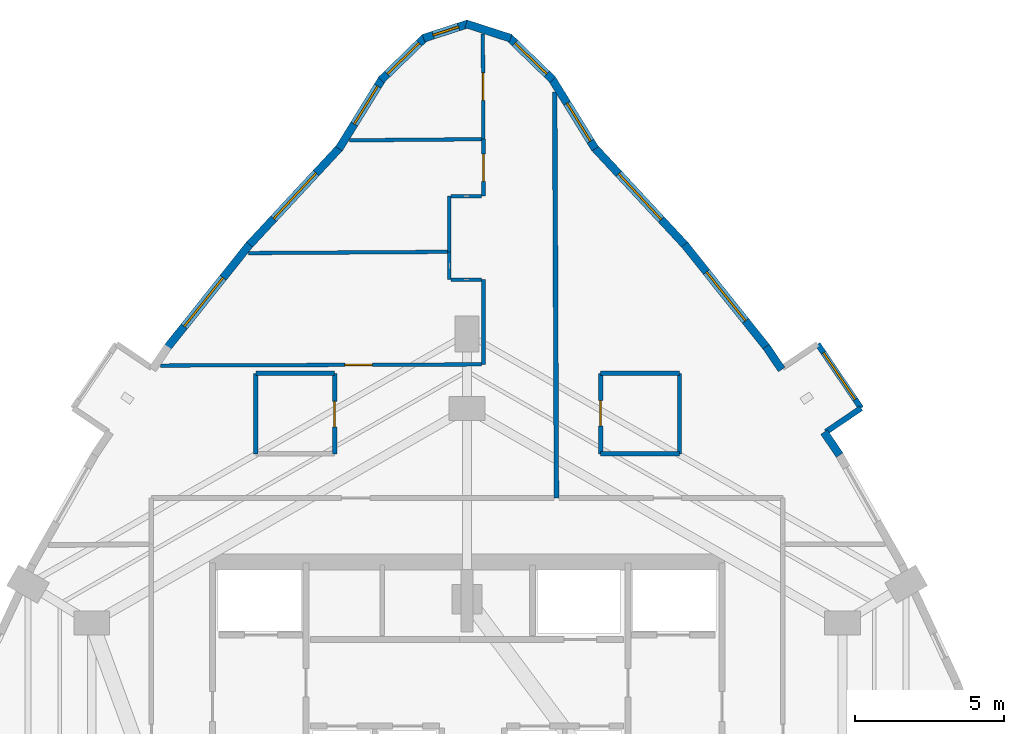
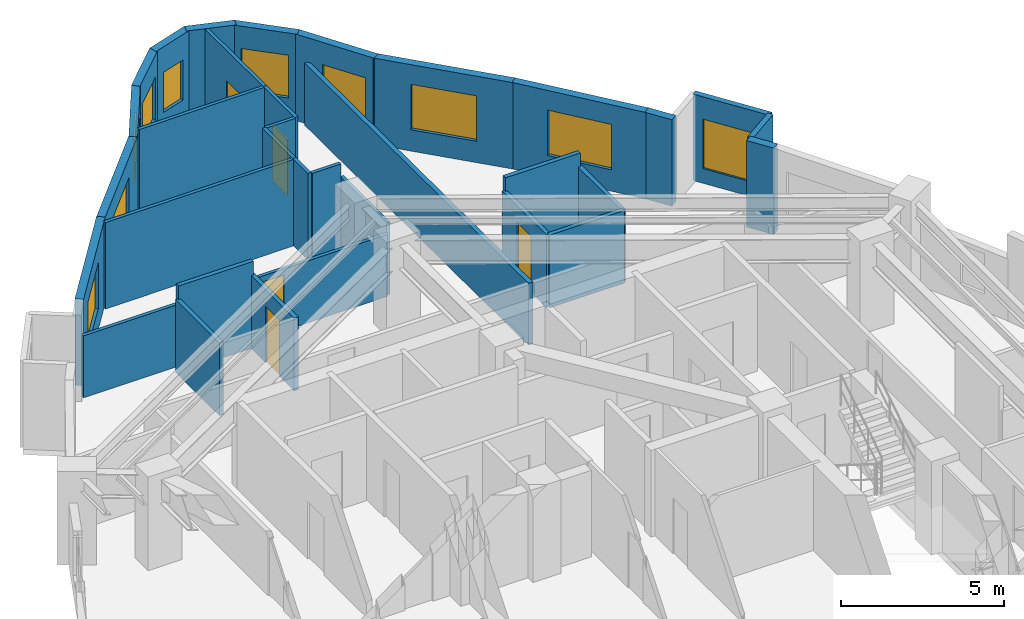
# One storey, part 9 of 11: 32 walls, 10 windows, 5 doors, 15 openings.
"""IFC4 building model written with IfcOpenShell, lengths in metres."""

from ifc_helpers import new_model, si_unit, direction, frame, frame_2d, origin, place, context, subcontext, project, spatial, rectangle, extrude, material, layer, layer_set, type_object, element, fill, save


model = new_model("IFC4")

# Units and contexts
model_context = context("Model", 3, precision=1e-05, world=origin(), true_north=direction((0.0, 1.0)))
body_context = subcontext(model_context, "Body", "Model", "MODEL_VIEW")
ifc_project = project(units=[si_unit("LENGTHUNIT", "METRE"), si_unit("AREAUNIT", "SQUARE_METRE"), si_unit("VOLUMEUNIT", "CUBIC_METRE"), si_unit("PLANEANGLEUNIT", "RADIAN"), si_unit("MASSUNIT", "GRAM", prefix="KILO")], contexts=[model_context])

# Site, building, storey
site_placement = place(None, origin())
site = spatial("IfcSite", under=ifc_project, at=site_placement, CompositionType="ELEMENT")
building_placement = place(site_placement, origin())
building = spatial("IfcBuilding", under=site, at=building_placement, Name="Miruveldt Soraemaru", CompositionType="ELEMENT")
storey_placement = place(building_placement, frame((0.0, 0.0, 149.39990234375)))
storey = spatial("IfcBuildingStorey", under=building, at=storey_placement, Name="L41", CompositionType="ELEMENT", Elevation=149.39990234375)

# Wall
ifc_material_1 = material(Name="White powder-coated aluminium EN AW-6060 T6", Category="aluminium")
ifc_layer_1 = layer(ifc_material_1, 0.18994140625, Name="White powder-coated aluminium EN AW-6060 T6", Category="aluminium")
ifc_layer_set_1 = layer_set([ifc_layer_1], Name="White powder-coated aluminium EN AW-6060 T6")
wall_type_1 = type_object("IfcWallType", Name="WALL-BAY-ALU190", PredefinedType="SOLIDWALL", material=ifc_layer_set_1)
wall_1_placement = place(storey_placement, frame((56.046875, 56.81591796875, 0.0), z_axis=(0.0, 0.0, 1.0), x_axis=(0.827995667279, 0.560734495966, 0.0)))
element("IfcWall", 1, at=wall_1_placement, inside=storey, type_object=wall_type_1, Name="L41 Bay Window Side Cheek 3L", PredefinedType="SOLIDWALL", context=body_context, shape_type="SweptSolid", body=[
    extrude(rectangle(XDim=1.425048828125, YDim=0.18994140625, at=frame_2d((0.71240234375, 0.0))), origin(), (0.0, 0.0, 1.0), 3.235107421875),
])

# Wall, opening, window
wall_2_placement = place(storey_placement, frame((57.226806640625, 57.614990234375, 0.0), z_axis=(0.0, 0.0, 1.0), x_axis=(-0.560860602504, 0.827910251512, 0.0)))
wall_2 = element("IfcWall", 2, at=wall_2_placement, inside=storey, type_object=wall_type_1, Name="L41 Bay Window Front Frame 3", PredefinedType="SOLIDWALL", context=body_context, shape_type="SweptSolid", body=[
    extrude(rectangle(XDim=2.60009765625, YDim=0.18994140625, at=frame_2d((1.300048828125, 0.0))), origin(), (0.0, 0.0, 1.0), 3.235107421875),
])
opening_1_placement = place(wall_2_placement, frame((0.35009765625, 0.0, 0.550048828125)))
opening_1 = element("IfcOpeningElement", 3, at=opening_1_placement, cuts=wall_2, Name="Opening WN-6", PredefinedType="OPENING", context=body_context, shape_type="SweptSolid", body=[
    extrude(rectangle(XDim=1.89990234375, YDim=1.85009765625, at=frame_2d((0.949951171875, 0.925048828125))), frame((0.0, 0.10498046875, 0.0), z_axis=(0.0, -1.0, 0.0), x_axis=(1.0, 0.0, 0.0)), (0.0, 0.0, 1.0), 0.2099609375),
])
ifc_material_2 = material(Name="Triple low-e insulated glazing", Category="glass")
window_type_1 = type_object("IfcWindowType", Name="WIN-BAYW-1900x1850", PartitioningType="SINGLE_PANEL", PredefinedType="WINDOW", material=ifc_material_2)
window_1_placement = place(opening_1_placement, origin())
window_1 = element("IfcWindow", 4, at=window_1_placement, inside=storey, type_object=window_type_1, Name="L41 Projecting Bay Window 3", OverallHeight=1.85009765625, OverallWidth=1.89990234375, PartitioningType="SINGLE_PANEL", PredefinedType="WINDOW", context=body_context, shape_type="SweptSolid", body=[
    extrude(rectangle(XDim=1.89990234375, YDim=1.85009765625, at=frame_2d((0.949951171875, 0.925048828125))), frame((0.0, 0.030029296875, 0.0), z_axis=(0.0, -1.0, 0.0), x_axis=(1.0, 0.0, 0.0)), (0.0, 0.0, 1.0), 0.06005859375),
])
fill(opening_1, window_1)

ifc_material_3 = material(Name="Precast concrete C45/55 (45 MPa)", Category="concrete")
ifc_layer_2 = layer(ifc_material_3, 0.27001953125, Name="Precast concrete C45/55 (45 MPa)", Category="concrete")
ifc_layer_set_2 = layer_set([ifc_layer_2], Name="Precast concrete C45/55 (45 MPa)")
wall_type_2 = type_object("IfcWallType", Name="WALL-EXT-PC270", PredefinedType="SOLIDWALL", material=ifc_layer_set_2)
wall_3_placement = place(storey_placement, frame((48.302490234375, 66.3212890625, 0.0), z_axis=(0.0, 0.0, 1.0), x_axis=(-0.526052747908, 0.850451942451, 0.0)))
wall_3 = element("IfcWall", 5, at=wall_3_placement, inside=storey, type_object=wall_type_2, Name="L41 Precast Concrete Facade Wall 1", PredefinedType="SOLIDWALL", context=body_context, shape_type="SweptSolid", body=[
    extrude(rectangle(XDim=2.78466796875, YDim=0.27001953125, at=frame_2d((1.392333984375, 0.0))), origin(), (0.0, 0.0, 1.0), 3.235107421875),
])
opening_2_placement = place(wall_3_placement, frame((0.302001953125, 0.0, 0.800048828125)))
opening_2 = element("IfcOpeningElement", 6, at=opening_2_placement, cuts=wall_3, Name="Opening WN-3", PredefinedType="OPENING", context=body_context, shape_type="SweptSolid", body=[
    extrude(rectangle(XDim=1.5, YDim=1.60009765625, at=frame_2d((0.75, 0.800048828125))), frame((0.0, 0.14501953125, 0.0), z_axis=(0.0, -1.0, 0.0), x_axis=(1.0, 0.0, 0.0)), (0.0, 0.0, 1.0), 0.2900390625),
])
window_type_2 = type_object("IfcWindowType", Name="WIN-PUNCH-1500x1600", PartitioningType="SINGLE_PANEL", PredefinedType="WINDOW", material=ifc_material_2)
window_2_placement = place(opening_2_placement, origin())
window_2 = element("IfcWindow", 7, at=window_2_placement, inside=storey, type_object=window_type_2, Name="L41 Punched Triple-Glazed Window 01.1", OverallHeight=1.60009765625, OverallWidth=1.5, PartitioningType="SINGLE_PANEL", PredefinedType="WINDOW", context=body_context, shape_type="SweptSolid", body=[
    extrude(rectangle(XDim=1.5, YDim=1.60009765625, at=frame_2d((0.75, 0.800048828125))), frame((0.0, 0.030029296875, 0.0), z_axis=(0.0, -1.0, 0.0), x_axis=(1.0, 0.0, 0.0)), (0.0, 0.0, 1.0), 0.06005859375),
])
fill(opening_2, window_2)

wall_4_placement = place(storey_placement, frame((46.881103515625, 68.63525390625, 0.0), z_axis=(0.0, 0.0, 1.0), x_axis=(-0.717812415939, 0.696236551413, 0.0)))
wall_4 = element("IfcWall", 8, at=wall_4_placement, inside=storey, type_object=wall_type_2, Name="L41 Precast Concrete Facade Wall 2", PredefinedType="SOLIDWALL", context=body_context, shape_type="SweptSolid", body=[
    extrude(rectangle(XDim=2.059326171875, YDim=0.27001953125, at=frame_2d((1.02978515625, 0.0))), origin(), (0.0, 0.0, 1.0), 3.235107421875),
])
opening_3_placement = place(wall_4_placement, frame((0.280029296875, 0.0, 0.800048828125)))
opening_3 = element("IfcOpeningElement", 9, at=opening_3_placement, cuts=wall_4, Name="Opening WN-3", PredefinedType="OPENING", context=body_context, shape_type="SweptSolid", body=[
    extrude(rectangle(XDim=1.5, YDim=1.60009765625, at=frame_2d((0.75, 0.800048828125))), frame((0.0, 0.14501953125, 0.0), z_axis=(0.0, -1.0, 0.0), x_axis=(1.0, 0.0, 0.0)), (0.0, 0.0, 1.0), 0.2900390625),
])
window_3_placement = place(opening_3_placement, origin())
window_3 = element("IfcWindow", 10, at=window_3_placement, inside=storey, type_object=window_type_2, Name="L41 Punched Triple-Glazed Window 02.1", OverallHeight=1.60009765625, OverallWidth=1.5, PartitioningType="SINGLE_PANEL", PredefinedType="WINDOW", context=body_context, shape_type="SweptSolid", body=[
    extrude(rectangle(XDim=1.5, YDim=1.60009765625, at=frame_2d((0.75, 0.800048828125))), frame((0.0, 0.030029296875, 0.0), z_axis=(0.0, -1.0, 0.0), x_axis=(1.0, 0.0, 0.0)), (0.0, 0.0, 1.0), 0.06005859375),
])
fill(opening_3, window_3)

# Wall
wall_5_placement = place(storey_placement, frame((45.461181640625, 70.033935546875, 0.0), z_axis=(0.0, 0.0, 1.0), x_axis=(-0.951504756684, 0.307634032589, 0.0)))
element("IfcWall", 11, at=wall_5_placement, inside=storey, type_object=wall_type_2, Name="L41 Precast Concrete Facade Wall 3", PredefinedType="SOLIDWALL", context=body_context, shape_type="SweptSolid", body=[
    extrude(rectangle(XDim=1.570556640625, YDim=0.27001953125, at=frame_2d((0.78515625, 0.0))), origin(), (0.0, 0.0, 1.0), 3.235107421875),
])

# Wall, opening, window
wall_6_placement = place(storey_placement, frame((44.033203125, 70.51708984375, 0.0), z_axis=(0.0, 0.0, 1.0), x_axis=(-0.951504756684, -0.307634032589, 0.0)))
wall_6 = element("IfcWall", 12, at=wall_6_placement, inside=storey, type_object=wall_type_2, Name="L41 Precast Concrete Facade Wall 4", PredefinedType="SOLIDWALL", context=body_context, shape_type="SweptSolid", body=[
    extrude(rectangle(XDim=1.570556640625, YDim=0.27001953125, at=frame_2d((0.78515625, 0.0))), origin(), (0.0, 0.0, 1.0), 3.235107421875),
])
opening_4_placement = place(wall_6_placement, frame((0.3349609375, 0.0, 0.780029296875)))
opening_4 = element("IfcOpeningElement", 13, at=opening_4_placement, cuts=wall_6, Name="Opening WN-7", PredefinedType="OPENING", context=body_context, shape_type="SweptSolid", body=[
    extrude(rectangle(XDim=0.89990234375, YDim=1.5, at=frame_2d((0.449951171875, 0.75))), frame((0.0, 0.14501953125, 0.0), z_axis=(0.0, -1.0, 0.0), x_axis=(1.0, 0.0, 0.0)), (0.0, 0.0, 1.0), 0.2900390625),
])
window_type_3 = type_object("IfcWindowType", Name="WIN-PUNCH-900x1500", PartitioningType="SINGLE_PANEL", PredefinedType="WINDOW", material=ifc_material_2)
window_4_placement = place(opening_4_placement, origin())
window_4 = element("IfcWindow", 14, at=window_4_placement, inside=storey, type_object=window_type_3, Name="L41 Punched Triple-Glazed Window 04.1", OverallHeight=1.5, OverallWidth=0.89990234375, PartitioningType="SINGLE_PANEL", PredefinedType="WINDOW", context=body_context, shape_type="SweptSolid", body=[
    extrude(rectangle(XDim=0.89990234375, YDim=1.5, at=frame_2d((0.449951171875, 0.75))), frame((0.0, 0.030029296875, 0.0), z_axis=(0.0, -1.0, 0.0), x_axis=(1.0, 0.0, 0.0)), (0.0, 0.0, 1.0), 0.06005859375),
])
fill(opening_4, window_4)

wall_7_placement = place(storey_placement, frame((42.59716796875, 70.069091796875, 0.0), z_axis=(0.0, 0.0, 1.0), x_axis=(-0.717812415939, -0.696236551413, 0.0)))
wall_7 = element("IfcWall", 15, at=wall_7_placement, inside=storey, type_object=wall_type_2, Name="L41 Precast Concrete Facade Wall 5", PredefinedType="SOLIDWALL", context=body_context, shape_type="SweptSolid", body=[
    extrude(rectangle(XDim=2.059326171875, YDim=0.27001953125, at=frame_2d((1.02978515625, 0.0))), origin(), (0.0, 0.0, 1.0), 3.235107421875),
])
opening_5_placement = place(wall_7_placement, frame((0.280029296875, 0.0, 0.800048828125)))
opening_5 = element("IfcOpeningElement", 16, at=opening_5_placement, cuts=wall_7, Name="Opening WN-3", PredefinedType="OPENING", context=body_context, shape_type="SweptSolid", body=[
    extrude(rectangle(XDim=1.5, YDim=1.60009765625, at=frame_2d((0.75, 0.800048828125))), frame((0.0, 0.14501953125, 0.0), z_axis=(0.0, -1.0, 0.0), x_axis=(1.0, 0.0, 0.0)), (0.0, 0.0, 1.0), 0.2900390625),
])
window_5_placement = place(opening_5_placement, origin())
window_5 = element("IfcWindow", 17, at=window_5_placement, inside=storey, type_object=window_type_2, Name="L41 Punched Triple-Glazed Window 05.1", OverallHeight=1.60009765625, OverallWidth=1.5, PartitioningType="SINGLE_PANEL", PredefinedType="WINDOW", context=body_context, shape_type="SweptSolid", body=[
    extrude(rectangle(XDim=1.5, YDim=1.60009765625, at=frame_2d((0.75, 0.800048828125))), frame((0.0, 0.030029296875, 0.0), z_axis=(0.0, -1.0, 0.0), x_axis=(1.0, 0.0, 0.0)), (0.0, 0.0, 1.0), 0.06005859375),
])
fill(opening_5, window_5)

wall_8_placement = place(storey_placement, frame((41.162353515625, 68.689453125, 0.0), z_axis=(0.0, 0.0, 1.0), x_axis=(-0.526052747908, -0.850451942451, 0.0)))
wall_8 = element("IfcWall", 18, at=wall_8_placement, inside=storey, type_object=wall_type_2, Name="L41 Precast Concrete Facade Wall 6", PredefinedType="SOLIDWALL", context=body_context, shape_type="SweptSolid", body=[
    extrude(rectangle(XDim=2.78466796875, YDim=0.27001953125, at=frame_2d((1.392333984375, 0.0))), origin(), (0.0, 0.0, 1.0), 3.235107421875),
])
opening_6_placement = place(wall_8_placement, frame((0.30810546875, 0.0, 0.800048828125)))
opening_6 = element("IfcOpeningElement", 19, at=opening_6_placement, cuts=wall_8, Name="Opening WN-3", PredefinedType="OPENING", context=body_context, shape_type="SweptSolid", body=[
    extrude(rectangle(XDim=1.5, YDim=1.60009765625, at=frame_2d((0.75, 0.800048828125))), frame((0.0, 0.14501953125, 0.0), z_axis=(0.0, -1.0, 0.0), x_axis=(1.0, 0.0, 0.0)), (0.0, 0.0, 1.0), 0.2900390625),
])
window_6_placement = place(opening_6_placement, origin())
window_6 = element("IfcWindow", 20, at=window_6_placement, inside=storey, type_object=window_type_2, Name="L41 Punched Triple-Glazed Window 06.1", OverallHeight=1.60009765625, OverallWidth=1.5, PartitioningType="SINGLE_PANEL", PredefinedType="WINDOW", context=body_context, shape_type="SweptSolid", body=[
    extrude(rectangle(XDim=1.5, YDim=1.60009765625, at=frame_2d((0.75, 0.800048828125))), frame((0.0, 0.030029296875, 0.0), z_axis=(0.0, -1.0, 0.0), x_axis=(1.0, 0.0, 0.0)), (0.0, 0.0, 1.0), 0.06005859375),
])
fill(opening_6, window_6)

wall_9_placement = place(storey_placement, frame((39.73974609375, 66.376708984375, 0.0), z_axis=(0.0, 0.0, 1.0), x_axis=(-0.680874338987, -0.732400255673, 0.0)))
wall_9 = element("IfcWall", 21, at=wall_9_placement, inside=storey, type_object=wall_type_2, Name="L41 Precast Concrete Facade Wall 7", PredefinedType="SOLIDWALL", context=body_context, shape_type="SweptSolid", body=[
    extrude(rectangle(XDim=4.534423828125, YDim=0.27001953125, at=frame_2d((2.26708984375, 0.0))), origin(), (0.0, 0.0, 1.0), 3.235107421875),
])
opening_7_placement = place(wall_9_placement, frame((1.180908203125, 0.0, 0.800048828125)))
opening_7 = element("IfcOpeningElement", 22, at=opening_7_placement, cuts=wall_9, Name="Opening WN-1", PredefinedType="OPENING", context=body_context, shape_type="SweptSolid", body=[
    extrude(rectangle(XDim=2.10009765625, YDim=1.699951171875, at=frame_2d((1.050048828125, 0.85009765625))), frame((0.0, 0.14501953125, 0.0), z_axis=(0.0, -1.0, 0.0), x_axis=(1.0, 0.0, 0.0)), (0.0, 0.0, 1.0), 0.2900390625),
])
window_type_4 = type_object("IfcWindowType", Name="WIN-PUNCH-2100x1700", PartitioningType="SINGLE_PANEL", PredefinedType="WINDOW", material=ifc_material_2)
window_7_placement = place(opening_7_placement, origin())
window_7 = element("IfcWindow", 23, at=window_7_placement, inside=storey, type_object=window_type_4, Name="L41 Punched Triple-Glazed Window 07.1", OverallHeight=1.699951171875, OverallWidth=2.10009765625, PartitioningType="SINGLE_PANEL", PredefinedType="WINDOW", context=body_context, shape_type="SweptSolid", body=[
    extrude(rectangle(XDim=2.10009765625, YDim=1.699951171875, at=frame_2d((1.050048828125, 0.85009765625))), frame((0.0, 0.030029296875, 0.0), z_axis=(0.0, -1.0, 0.0), x_axis=(1.0, 0.0, 0.0)), (0.0, 0.0, 1.0), 0.06005859375),
])
fill(opening_7, window_7)

wall_10_placement = place(storey_placement, frame((36.697998046875, 63.108642578125, 0.0), z_axis=(0.0, 0.0, 1.0), x_axis=(-0.623611643965, -0.781734301097, 0.0)))
wall_10 = element("IfcWall", 24, at=wall_10_placement, inside=storey, type_object=wall_type_2, Name="L41 Precast Concrete Facade Wall 8", PredefinedType="SOLIDWALL", context=body_context, shape_type="SweptSolid", body=[
    extrude(rectangle(XDim=4.454345703125, YDim=0.27001953125, at=frame_2d((2.22705078125, 0.0))), origin(), (0.0, 0.0, 1.0), 3.235107421875),
])
opening_8_placement = place(wall_10_placement, frame((1.422119140625, 0.0, 0.800048828125)))
opening_8 = element("IfcOpeningElement", 25, at=opening_8_placement, cuts=wall_10, Name="Opening WN-1", PredefinedType="OPENING", context=body_context, shape_type="SweptSolid", body=[
    extrude(rectangle(XDim=2.10009765625, YDim=1.699951171875, at=frame_2d((1.050048828125, 0.85009765625))), frame((0.0, 0.14501953125, 0.0), z_axis=(0.0, -1.0, 0.0), x_axis=(1.0, 0.0, 0.0)), (0.0, 0.0, 1.0), 0.2900390625),
])
window_8_placement = place(opening_8_placement, origin())
window_8 = element("IfcWindow", 26, at=window_8_placement, inside=storey, type_object=window_type_4, Name="L41 Punched Triple-Glazed Window 08.1", OverallHeight=1.699951171875, OverallWidth=2.10009765625, PartitioningType="SINGLE_PANEL", PredefinedType="WINDOW", context=body_context, shape_type="SweptSolid", body=[
    extrude(rectangle(XDim=2.10009765625, YDim=1.699951171875, at=frame_2d((1.050048828125, 0.85009765625))), frame((0.0, 0.030029296875, 0.0), z_axis=(0.0, -1.0, 0.0), x_axis=(1.0, 0.0, 0.0)), (0.0, 0.0, 1.0), 0.06005859375),
])
fill(opening_8, window_8)

# Walls
for number, where, z_axis, x_axis, name in (
    (27, (56.506103515625, 56.039794921875, 0.0), (0.0, 0.0, 1.0), (-0.56074365682, 0.8279894633, 0.0), "L41 Precast Pier Wall 40A"),
    (28, (54.56005859375, 58.912841796875, 0.0), (0.0, 0.0, 1.0), (-0.56074365682, 0.8279894633, 0.0), "L41 Precast Pier Wall 40B"),
):
    element("IfcWall", number, at=place(storey_placement, frame(where, z_axis=z_axis, x_axis=x_axis)), inside=storey, type_object=wall_type_2, Name=name, PredefinedType="SOLIDWALL", context=body_context, shape_type="SweptSolid", body=[
        extrude(rectangle(XDim=0.929931640625, YDim=0.27001953125, at=frame_2d((0.46484375, 0.0))), origin(), (0.0, 0.0, 1.0), 3.235107421875),
    ])

# Wall, opening, window
wall_11_placement = place(storey_placement, frame((54.079833984375, 59.62646484375, 0.0), z_axis=(0.0, 0.0, 1.0), x_axis=(-0.623611643965, 0.781734301097, 0.0)))
wall_11 = element("IfcWall", 29, at=wall_11_placement, inside=storey, type_object=wall_type_2, Name="L41 Precast Concrete Facade Wall 41", PredefinedType="SOLIDWALL", context=body_context, shape_type="SweptSolid", body=[
    extrude(rectangle(XDim=4.454345703125, YDim=0.27001953125, at=frame_2d((2.22705078125, 0.0))), origin(), (0.0, 0.0, 1.0), 3.235107421875),
])
opening_9_placement = place(wall_11_placement, frame((1.177001953125, 0.0, 0.800048828125)))
opening_9 = element("IfcOpeningElement", 30, at=opening_9_placement, cuts=wall_11, Name="Opening WN-1", PredefinedType="OPENING", context=body_context, shape_type="SweptSolid", body=[
    extrude(rectangle(XDim=2.10009765625, YDim=1.699951171875, at=frame_2d((1.050048828125, 0.85009765625))), frame((0.0, 0.14501953125, 0.0), z_axis=(0.0, -1.0, 0.0), x_axis=(1.0, 0.0, 0.0)), (0.0, 0.0, 1.0), 0.2900390625),
])
window_9_placement = place(opening_9_placement, origin())
window_9 = element("IfcWindow", 31, at=window_9_placement, inside=storey, type_object=window_type_4, Name="L41 Punched Triple-Glazed Window 41.1", OverallHeight=1.699951171875, OverallWidth=2.10009765625, PartitioningType="SINGLE_PANEL", PredefinedType="WINDOW", context=body_context, shape_type="SweptSolid", body=[
    extrude(rectangle(XDim=2.10009765625, YDim=1.699951171875, at=frame_2d((1.050048828125, 0.85009765625))), frame((0.0, 0.030029296875, 0.0), z_axis=(0.0, -1.0, 0.0), x_axis=(1.0, 0.0, 0.0)), (0.0, 0.0, 1.0), 0.06005859375),
])
fill(opening_9, window_9)

wall_12_placement = place(storey_placement, frame((51.34765625, 63.0556640625, 0.0), z_axis=(0.0, 0.0, 1.0), x_axis=(-0.680874338987, 0.732400255673, 0.0)))
wall_12 = element("IfcWall", 32, at=wall_12_placement, inside=storey, type_object=wall_type_2, Name="L41 Precast Concrete Facade Wall 42", PredefinedType="SOLIDWALL", context=body_context, shape_type="SweptSolid", body=[
    extrude(rectangle(XDim=4.534423828125, YDim=0.27001953125, at=frame_2d((2.26708984375, 0.0))), origin(), (0.0, 0.0, 1.0), 3.235107421875),
])
opening_10_placement = place(wall_12_placement, frame((1.218017578125, 0.0, 0.800048828125)))
opening_10 = element("IfcOpeningElement", 33, at=opening_10_placement, cuts=wall_12, Name="Opening WN-1", PredefinedType="OPENING", context=body_context, shape_type="SweptSolid", body=[
    extrude(rectangle(XDim=2.10009765625, YDim=1.699951171875, at=frame_2d((1.050048828125, 0.85009765625))), frame((0.0, 0.14501953125, 0.0), z_axis=(0.0, -1.0, 0.0), x_axis=(1.0, 0.0, 0.0)), (0.0, 0.0, 1.0), 0.2900390625),
])
window_10_placement = place(opening_10_placement, origin())
window_10 = element("IfcWindow", 34, at=window_10_placement, inside=storey, type_object=window_type_4, Name="L41 Punched Triple-Glazed Window 42.1", OverallHeight=1.699951171875, OverallWidth=2.10009765625, PartitioningType="SINGLE_PANEL", PredefinedType="WINDOW", context=body_context, shape_type="SweptSolid", body=[
    extrude(rectangle(XDim=2.10009765625, YDim=1.699951171875, at=frame_2d((1.050048828125, 0.85009765625))), frame((0.0, 0.030029296875, 0.0), z_axis=(0.0, -1.0, 0.0), x_axis=(1.0, 0.0, 0.0)), (0.0, 0.0, 1.0), 0.06005859375),
])
fill(opening_10, window_10)

# Wall, opening, door
ifc_material_4 = material(Name="Gypsum plasterboard lining", Category="gypsum")
ifc_layer_3 = layer(ifc_material_4, 0.1201171875, Name="Gypsum plasterboard lining", Category="gypsum")
ifc_layer_set_3 = layer_set([ifc_layer_3], Name="Gypsum plasterboard lining")
wall_type_3 = type_object("IfcWallType", Name="WALL-INT-P120", PredefinedType="PARTITIONING", material=ifc_layer_set_3)
wall_13_placement = place(storey_placement, frame((44.489990234375, 59.083984375, 0.0), z_axis=(0.0, 0.0, 1.0), x_axis=(-0.999993433641, -0.003623903182, 0.0)))
wall_13 = element("IfcWall", 35, at=wall_13_placement, inside=storey, type_object=wall_type_3, Name="L41 Partition Wall 19", PredefinedType="PARTITIONING", context=body_context, shape_type="SweptSolid", body=[
    extrude(rectangle(XDim=10.779052734375, YDim=0.1201171875, at=frame_2d((5.3896484375, 0.0))), origin(), (0.0, 0.0, 1.0), 2.322998046875),
])
opening_11_placement = place(wall_13_placement, frame((3.669921875, 0.0, 0.0)))
opening_11 = element("IfcOpeningElement", 36, at=opening_11_placement, cuts=wall_13, Name="Opening D3A", PredefinedType="OPENING", context=body_context, shape_type="SweptSolid", body=[
    extrude(rectangle(XDim=0.919921875, YDim=2.10009765625, at=frame_2d((0.4599609375, 1.050048828125))), frame((0.0, 0.070068359375, 0.0), z_axis=(0.0, -1.0, 0.0), x_axis=(1.0, 0.0, 0.0)), (0.0, 0.0, 1.0), 0.14013671875),
])
ifc_material_5 = material(Name="Anodised aluminium EN AW-6063 T6", Category="aluminium")
door_type_1 = type_object("IfcDoorType", Name="DOOR-INT-920", OperationType="NOTDEFINED", PredefinedType="DOOR", material=ifc_material_5)
door_1_placement = place(opening_11_placement, origin())
door_1 = element("IfcDoor", 37, at=door_1_placement, inside=storey, type_object=door_type_1, Name="L41 Unit 4101 BD1 Door", OperationType="SINGLE_SWING_RIGHT", OverallHeight=2.10009765625, OverallWidth=0.919921875, PredefinedType="DOOR", context=body_context, shape_type="SweptSolid", body=[
    extrude(rectangle(XDim=0.919921875, YDim=2.10009765625, at=frame_2d((0.4599609375, 1.050048828125))), frame((0.0, 0.02490234375, 0.0), z_axis=(0.0, -1.0, 0.0), x_axis=(1.0, 0.0, 0.0)), (0.0, 0.0, 1.0), 0.050048828125),
])
fill(opening_11, door_1)

wall_14_placement = place(storey_placement, frame((44.529052734375, 70.177978515625, 0.0), z_axis=(0.0, 0.0, 1.0), x_axis=(0.005939531945, -0.999982360825, 0.0)))
wall_14 = element("IfcWall", 38, at=wall_14_placement, inside=storey, type_object=wall_type_3, Name="L41 Partition Wall 23", PredefinedType="PARTITIONING", context=body_context, shape_type="SweptSolid", body=[
    extrude(rectangle(XDim=3.534912109375, YDim=0.1201171875, at=frame_2d((1.767578125, 0.0))), origin(), (0.0, 0.0, 1.0), 3.235107421875),
])
opening_12_placement = place(wall_14_placement, frame((1.30810546875, 0.0, 0.0)))
opening_12 = element("IfcOpeningElement", 39, at=opening_12_placement, cuts=wall_14, Name="Opening D3A", PredefinedType="OPENING", context=body_context, shape_type="SweptSolid", body=[
    extrude(rectangle(XDim=0.919921875, YDim=2.10009765625, at=frame_2d((0.4599609375, 1.050048828125))), frame((0.0, 0.070068359375, 0.0), z_axis=(0.0, -1.0, 0.0), x_axis=(1.0, 0.0, 0.0)), (0.0, 0.0, 1.0), 0.14013671875),
])
door_2_placement = place(opening_12_placement, origin())
door_2 = element("IfcDoor", 40, at=door_2_placement, inside=storey, type_object=door_type_1, Name="L41 Unit 4101 EXT Door", OperationType="SINGLE_SWING_RIGHT", OverallHeight=2.10009765625, OverallWidth=0.919921875, PredefinedType="DOOR", context=body_context, shape_type="SweptSolid", body=[
    extrude(rectangle(XDim=0.919921875, YDim=2.10009765625, at=frame_2d((0.4599609375, 1.050048828125))), frame((0.0, 0.02490234375, 0.0), z_axis=(0.0, -1.0, 0.0), x_axis=(1.0, 0.0, 0.0)), (0.0, 0.0, 1.0), 0.050048828125),
])
fill(opening_12, door_2)

wall_15_placement = place(storey_placement, frame((44.550048828125, 66.64306640625, 0.0), z_axis=(0.0, 0.0, 1.0), x_axis=(0.0, -1.0, 0.0)))
wall_15 = element("IfcWall", 41, at=wall_15_placement, inside=storey, type_object=wall_type_3, Name="L41 Partition Wall 20", PredefinedType="PARTITIONING", context=body_context, shape_type="SweptSolid", body=[
    extrude(rectangle(XDim=1.9130859375, YDim=0.1201171875, at=frame_2d((0.95654296875, 0.0))), origin(), (0.0, 0.0, 1.0), 3.235107421875),
])
opening_13_placement = place(wall_15_placement, frame((0.49609375, 0.0, 0.0)))
opening_13 = element("IfcOpeningElement", 42, at=opening_13_placement, cuts=wall_15, Name="Opening D3A", PredefinedType="OPENING", context=body_context, shape_type="SweptSolid", body=[
    extrude(rectangle(XDim=0.919921875, YDim=2.10009765625, at=frame_2d((0.4599609375, 1.050048828125))), frame((0.0, 0.070068359375, 0.0), z_axis=(0.0, -1.0, 0.0), x_axis=(1.0, 0.0, 0.0)), (0.0, 0.0, 1.0), 0.14013671875),
])
door_3_placement = place(opening_13_placement, origin())
door_3 = element("IfcDoor", 43, at=door_3_placement, inside=storey, type_object=door_type_1, Name="L41 Unit 4101 BD2 Door", OperationType="SINGLE_SWING_LEFT", OverallHeight=2.10009765625, OverallWidth=0.919921875, PredefinedType="DOOR", context=body_context, shape_type="SweptSolid", body=[
    extrude(rectangle(XDim=0.919921875, YDim=2.10009765625, at=frame_2d((0.4599609375, 1.050048828125))), frame((0.0, 0.02490234375, 0.0), z_axis=(0.0, -1.0, 0.0), x_axis=(1.0, 0.0, 0.0)), (0.0, 0.0, 1.0), 0.050048828125),
])
fill(opening_13, door_3)

# Walls
wall_16_placement = place(storey_placement, frame((43.346923828125, 62.863037109375, 0.0), z_axis=(0.0, 0.0, 1.0), x_axis=(-0.999979361839, -0.006424631952, 0.0)))
element("IfcWall", 44, at=wall_16_placement, inside=storey, type_object=wall_type_3, Name="L41 Partition Wall 26", PredefinedType="PARTITIONING", context=body_context, shape_type="SweptSolid", body=[
    extrude(rectangle(XDim=6.688232421875, YDim=0.1201171875, at=frame_2d((3.34423828125, 0.0))), origin(), (0.0, 0.0, 1.0), 3.235107421875),
])
wall_17_placement = place(storey_placement, frame((44.489990234375, 66.64306640625, 0.0), z_axis=(0.0, 0.0, 1.0), x_axis=(-0.999965073099, -0.00835778572, 0.0)))
element("IfcWall", 45, at=wall_17_placement, inside=storey, type_object=wall_type_3, Name="L41 Partition Wall 27", PredefinedType="PARTITIONING", context=body_context, shape_type="SweptSolid", body=[
    extrude(rectangle(XDim=4.440185546875, YDim=0.1201171875, at=frame_2d((2.22021484375, 0.0))), origin(), (0.0, 0.0, 1.0), 3.235107421875),
])
wall_18_placement = place(storey_placement, frame((44.550048828125, 61.929931640625, 0.0), z_axis=(0.0, 0.0, 1.0), x_axis=(0.0, -1.0, 0.0)))
element("IfcWall", 46, at=wall_18_placement, inside=storey, type_object=wall_type_3, Name="L41 Partition Wall 18", PredefinedType="PARTITIONING", context=body_context, shape_type="SweptSolid", body=[
    extrude(rectangle(XDim=2.845947265625, YDim=0.1201171875, at=frame_2d((1.4228515625, 0.0))), origin(), (0.0, 0.0, 1.0), 2.72314453125),
])
wall_19_placement = place(storey_placement, frame((43.406982421875, 64.72998046875, 0.0), z_axis=(0.0, 0.0, 1.0), x_axis=(0.0, -1.0, 0.0)))
element("IfcWall", 47, at=wall_19_placement, inside=storey, type_object=wall_type_3, Name="L41 Partition Wall 22", PredefinedType="PARTITIONING", context=body_context, shape_type="SweptSolid", body=[
    extrude(rectangle(XDim=1.866943359375, YDim=0.1201171875, at=frame_2d((0.93359375, 0.0))), origin(), (0.0, 0.0, 1.0), 3.235107421875),
])
for number, where, z_axis, x_axis, name in (
    (48, (43.467041015625, 61.929931640625, 0.0), (0.0, 0.0, 1.0), (1.0, 0.0, 0.0), "L41 Partition Wall 17"),
    (49, (44.489990234375, 64.72998046875, 0.0), (0.0, 0.0, 1.0), (-1.0, 0.0, 0.0), "L41 Partition Wall 21"),
):
    element("IfcWall", number, at=place(storey_placement, frame(where, z_axis=z_axis, x_axis=x_axis)), inside=storey, type_object=wall_type_3, Name=name, PredefinedType="PARTITIONING", context=body_context, shape_type="SweptSolid", body=[
        extrude(rectangle(XDim=1.02294921875, YDim=0.1201171875, at=frame_2d((0.511474609375, 0.0))), origin(), (0.0, 0.0, 1.0), 3.235107421875),
    ])
wall_20_placement = place(storey_placement, frame((43.406982421875, 62.863037109375, 0.0), z_axis=(0.0, 0.0, 1.0), x_axis=(0.0, -1.0, 0.0)))
element("IfcWall", 50, at=wall_20_placement, inside=storey, type_object=wall_type_3, Name="L41 Partition Wall 16", PredefinedType="PARTITIONING", context=body_context, shape_type="SweptSolid", body=[
    extrude(rectangle(XDim=0.93310546875, YDim=0.1201171875, at=frame_2d((0.466552734375, 0.0))), origin(), (0.0, 0.0, 1.0), 3.235107421875),
])

# Wall, opening, door
ifc_layer_4 = layer(ifc_material_4, 0.14990234375, Name="Gypsum plasterboard lining", Category="gypsum")
ifc_layer_set_4 = layer_set([ifc_layer_4], Name="Gypsum plasterboard lining")
wall_type_4 = type_object("IfcWallType", Name="WALL-INT-PLUMB", PredefinedType="PLUMBINGWALL", material=ifc_layer_set_4)
wall_21_placement = place(storey_placement, frame((39.556884765625, 56.080078125, 0.0), z_axis=(0.0, 0.0, 1.0), x_axis=(0.0, 1.0, 0.0)))
wall_21 = element("IfcWall", 51, at=wall_21_placement, inside=storey, type_object=wall_type_4, Name="L41 Partition Wall 12", PredefinedType="PLUMBINGWALL", context=body_context, shape_type="SweptSolid", body=[
    extrude(rectangle(XDim=2.699951171875, YDim=0.14990234375, at=frame_2d((1.35009765625, 0.0))), origin(), (0.0, 0.0, 1.0), 2.72314453125),
])
opening_14_placement = place(wall_21_placement, frame((0.909912109375, 0.0, 0.0)))
opening_14 = element("IfcOpeningElement", 52, at=opening_14_placement, cuts=wall_21, Name="Opening FD3", PredefinedType="OPENING", context=body_context, shape_type="SweptSolid", body=[
    extrude(rectangle(XDim=0.85009765625, YDim=2.10009765625, at=frame_2d((0.425048828125, 1.050048828125))), frame((0.0, 0.0849609375, 0.0), z_axis=(0.0, -1.0, 0.0), x_axis=(1.0, 0.0, 0.0)), (0.0, 0.0, 1.0), 0.169921875),
])
door_type_2 = type_object("IfcDoorType", Name="DOOR-FD3-850", OperationType="NOTDEFINED", PredefinedType="DOOR", material=ifc_material_5)
door_4_placement = place(opening_14_placement, origin())
door_4 = element("IfcDoor", 53, at=door_4_placement, inside=storey, type_object=door_type_2, Name="L41 Unit 4101 BTH Door", OperationType="SINGLE_SWING_LEFT", OverallHeight=2.10009765625, OverallWidth=0.85009765625, PredefinedType="DOOR", context=body_context, shape_type="SweptSolid", body=[
    extrude(rectangle(XDim=0.85009765625, YDim=2.10009765625, at=frame_2d((0.425048828125, 1.050048828125))), frame((0.0, 0.02490234375, 0.0), z_axis=(0.0, -1.0, 0.0), x_axis=(1.0, 0.0, 0.0)), (0.0, 0.0, 1.0), 0.050048828125),
])
fill(opening_14, door_4)

wall_22_placement = place(storey_placement, frame((48.48095703125, 58.780029296875, 0.0), z_axis=(0.0, 0.0, 1.0), x_axis=(0.0, -1.0, 0.0)))
wall_22 = element("IfcWall", 54, at=wall_22_placement, inside=storey, type_object=wall_type_4, Name="L41 Partition Wall 29", PredefinedType="PLUMBINGWALL", context=body_context, shape_type="SweptSolid", body=[
    extrude(rectangle(XDim=2.699951171875, YDim=0.14990234375, at=frame_2d((1.35009765625, 0.0))), origin(), (0.0, 0.0, 1.0), 2.72314453125),
])
opening_15_placement = place(wall_22_placement, frame((0.909912109375, 0.0, 0.0)))
opening_15 = element("IfcOpeningElement", 55, at=opening_15_placement, cuts=wall_22, Name="Opening FD3", PredefinedType="OPENING", context=body_context, shape_type="SweptSolid", body=[
    extrude(rectangle(XDim=0.85009765625, YDim=2.10009765625, at=frame_2d((0.425048828125, 1.050048828125))), frame((0.0, 0.0849609375, 0.0), z_axis=(0.0, -1.0, 0.0), x_axis=(1.0, 0.0, 0.0)), (0.0, 0.0, 1.0), 0.169921875),
])
door_5_placement = place(opening_15_placement, origin())
door_5 = element("IfcDoor", 56, at=door_5_placement, inside=storey, type_object=door_type_2, Name="L41 Unit CL02 BTH Door", OperationType="SINGLE_SWING_RIGHT", OverallHeight=2.10009765625, OverallWidth=0.85009765625, PredefinedType="DOOR", context=body_context, shape_type="SweptSolid", body=[
    extrude(rectangle(XDim=0.85009765625, YDim=2.10009765625, at=frame_2d((0.425048828125, 1.050048828125))), frame((0.0, 0.02490234375, 0.0), z_axis=(0.0, -1.0, 0.0), x_axis=(1.0, 0.0, 0.0)), (0.0, 0.0, 1.0), 0.050048828125),
])
fill(opening_15, door_5)

# Walls
for number, where, z_axis, x_axis, name in (
    (57, (36.906982421875, 58.780029296875, 0.0), (0.0, 0.0, 1.0), (0.0, -1.0, 0.0), "L41 Partition Wall 14"),
    (58, (51.131103515625, 56.080078125, 0.0), (0.0, 0.0, 1.0), (0.0, 1.0, 0.0), "L41 Partition Wall 28"),
):
    element("IfcWall", number, at=place(storey_placement, frame(where, z_axis=z_axis, x_axis=x_axis)), inside=storey, type_object=wall_type_4, Name=name, PredefinedType="PLUMBINGWALL", context=body_context, shape_type="SweptSolid", body=[
        extrude(rectangle(XDim=2.699951171875, YDim=0.14990234375, at=frame_2d((1.35009765625, 0.0))), origin(), (0.0, 0.0, 1.0), 2.72314453125),
    ])
wall_23_placement = place(storey_placement, frame((39.556884765625, 58.780029296875, 0.0), z_axis=(0.0, 0.0, 1.0), x_axis=(-1.0, 0.0, 0.0)))
element("IfcWall", 59, at=wall_23_placement, inside=storey, type_object=wall_type_4, Name="L41 Partition Wall 13", PredefinedType="PLUMBINGWALL", context=body_context, shape_type="SweptSolid", body=[
    extrude(rectangle(XDim=2.64990234375, YDim=0.14990234375, at=frame_2d((1.324951171875, 0.0))), origin(), (0.0, 0.0, 1.0), 3.235107421875),
])
wall_24_placement = place(storey_placement, frame((48.48095703125, 56.080078125, 0.0), z_axis=(0.0, 0.0, 1.0), x_axis=(1.0, 0.0, 0.0)))
element("IfcWall", 60, at=wall_24_placement, inside=storey, type_object=wall_type_4, Name="L41 Partition Wall 30", PredefinedType="PLUMBINGWALL", context=body_context, shape_type="SweptSolid", body=[
    extrude(rectangle(XDim=2.650146484375, YDim=0.14990234375, at=frame_2d((1.3251953125, 0.0))), origin(), (0.0, 0.0, 1.0), 2.72314453125),
])
wall_25_placement = place(storey_placement, frame((51.131103515625, 58.780029296875, 0.0), z_axis=(0.0, 0.0, 1.0), x_axis=(-1.0, 0.0, 0.0)))
element("IfcWall", 61, at=wall_25_placement, inside=storey, type_object=wall_type_4, Name="L41 Partition Wall 60", PredefinedType="PLUMBINGWALL", context=body_context, shape_type="SweptSolid", body=[
    extrude(rectangle(XDim=2.650146484375, YDim=0.14990234375, at=frame_2d((1.3251953125, 0.0))), origin(), (0.0, 0.0, 1.0), 3.235107421875),
])
ifc_material_6 = material(Name="Concrete C40/50 (40 MPa)", Category="concrete")
ifc_layer_5 = layer(ifc_material_6, 0.159912109375, Name="Concrete C40/50 (40 MPa)", Category="concrete")
ifc_layer_set_5 = layer_set([ifc_layer_5], Name="Concrete C40/50 (40 MPa)")
wall_type_5 = type_object("IfcWallType", Name="WALL-INT-RC160", PredefinedType="SOLIDWALL", material=ifc_layer_set_5)
wall_26_placement = place(storey_placement, frame((47.0, 54.60302734375, 0.0), z_axis=(0.0, 0.0, 1.0), x_axis=(-0.004262367929, 0.999990916069, 0.0)))
element("IfcWall", 62, at=wall_26_placement, inside=storey, type_object=wall_type_5, Name="L41 Partition Wall 24", PredefinedType="SOLIDWALL", context=body_context, shape_type="SweptSolid", body=[
    extrude(rectangle(XDim=13.63232421875, YDim=0.159912109375, at=frame_2d((6.816162109375, 0.0))), origin(), (0.0, 0.0, 1.0), 2.322998046875),
])

save(model, "model.ifc")
